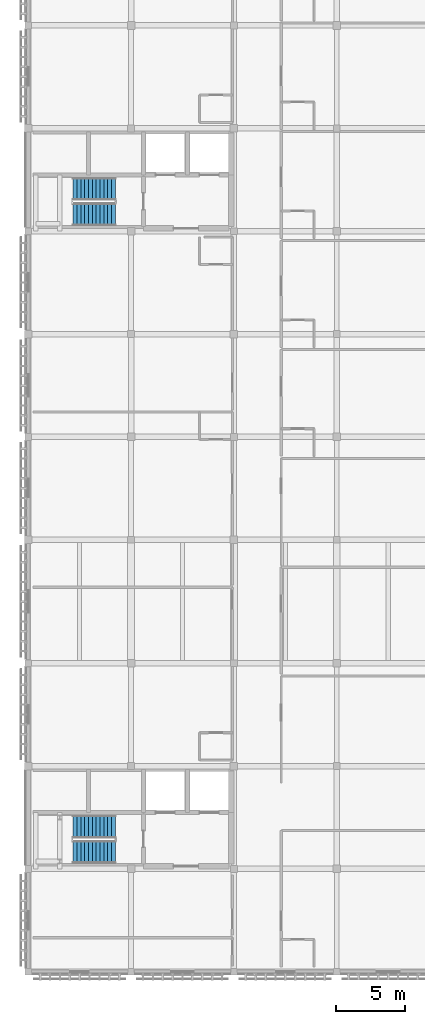
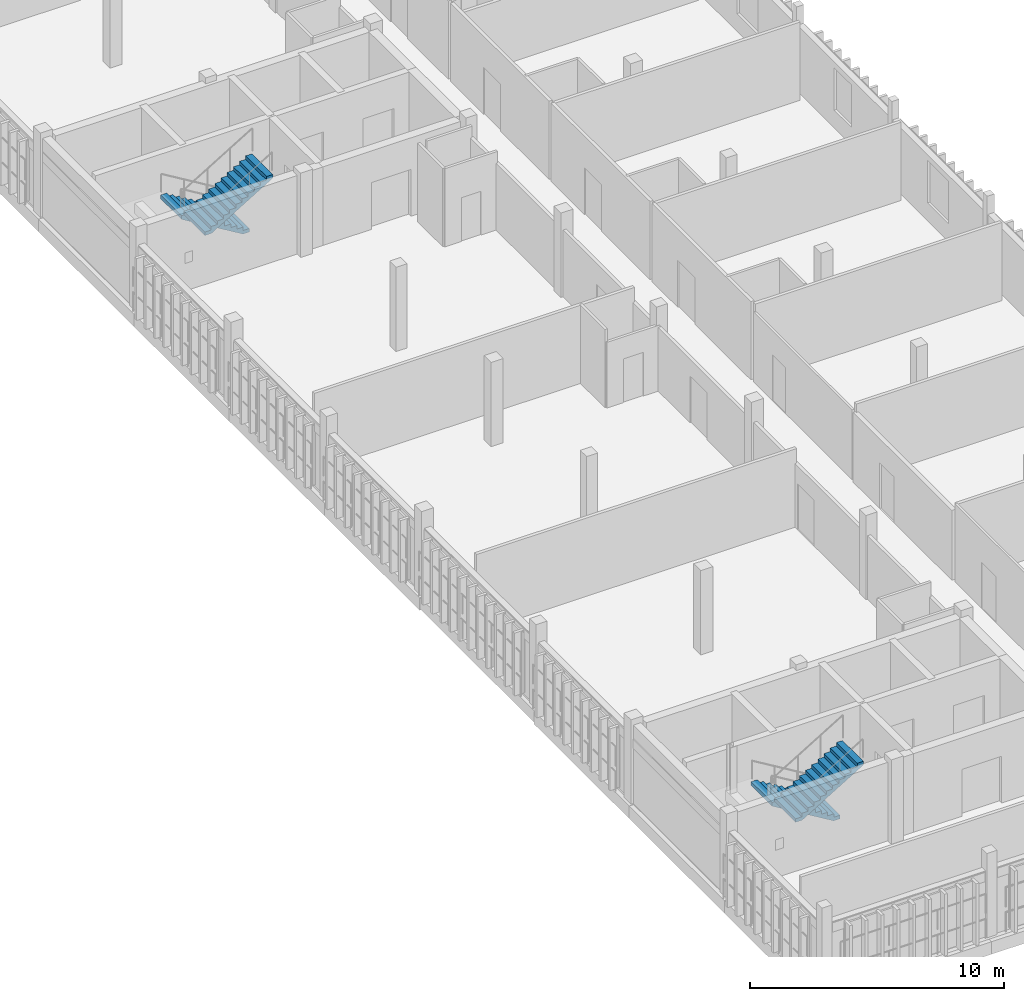
# One storey, part 9 of 17: 4 stair flights, 2 elements without a shape of their own.
"""IFC4 building model written with IfcOpenShell, lengths in metres."""

from ifc_helpers import new_model, si_unit, direction, frame, origin, place, context, subcontext, project, spatial, polyline, outline, extrude, material, type_object, element, aggregate, save


model = new_model("IFC4")

# Units and contexts
model_context = context("Model", 3, precision=1e-05, world=origin(), true_north=direction((0.0, 1.0)))
body_context = subcontext(model_context, "Body", "Model", "MODEL_VIEW")
ifc_project = project(units=[si_unit("LENGTHUNIT", "METRE"), si_unit("AREAUNIT", "SQUARE_METRE"), si_unit("VOLUMEUNIT", "CUBIC_METRE"), si_unit("PLANEANGLEUNIT", "RADIAN"), si_unit("MASSUNIT", "GRAM", prefix="KILO")], contexts=[model_context])

# Site, building, storey
site_placement = place(None, origin())
site = spatial("IfcSite", under=ifc_project, at=site_placement, CompositionType="ELEMENT")
building_placement = place(site_placement, origin())
building = spatial("IfcBuilding", under=site, at=building_placement, Name="Dalvernix Boulevard General Hospital", CompositionType="ELEMENT")
storey_placement = place(building_placement, frame((0.0, 0.0, 25.949951171875)))
storey = spatial("IfcBuildingStorey", under=building, at=storey_placement, Name="L06", CompositionType="ELEMENT", Elevation=25.949951171875)

# Stair, stair flights
ifc_material = material(Name="Precast concrete C40/50", Category="concrete")
stair_type = type_object("IfcStairType", Name="IFCSTAIR-STC-165x405", PredefinedType="HALF_TURN_STAIR", material=ifc_material)
stair_1_placement = place(storey_placement, origin())
stair_1 = element("IfcStair", 1, at=stair_1_placement, inside=storey, type_object=stair_type, Name="L06 Core C1 Exit Stair ST-01", PredefinedType="HALF_TURN_STAIR")
stair_flight_type = type_object("IfcStairFlightType", Name="IFCSTAIRFLIGHT-STF-165x405", PredefinedType="STRAIGHT", material=ifc_material)
stair_flight_1_placement = place(storey_placement, frame((6.35009765625, 10.574951171875, 0.0), z_axis=(0.0, 0.0, 1.0), x_axis=(-1.0, 0.0, 0.0)))
stair_flight_1 = element("IfcStairFlight", 2, at=stair_flight_1_placement, type_object=stair_flight_type, Name="ST-01 flight 1", NumberOfRisers=12, NumberOfTreads=11, PredefinedType="STRAIGHT", RiserHeight=0.16875, TreadLength=0.28, context=body_context, shape_type="SweptSolid", body=[
    extrude(outline(polyline([(0.0, 0.0), (0.0, 0.168701171875), (0.280029296875, 0.168701171875), (0.280029296875, 0.33740234375), (0.56005859375, 0.33740234375), (0.56005859375, 0.50634765625), (0.840087890625, 0.50634765625), (0.840087890625, 0.675048828125), (1.1201171875, 0.675048828125), (1.1201171875, 0.84375), (1.39990234375, 0.84375), (1.39990234375, 1.012451171875), (1.679931640625, 1.012451171875), (1.679931640625, 1.18115234375), (1.9599609375, 1.18115234375), (1.9599609375, 1.35009765625), (2.239990234375, 1.35009765625), (2.239990234375, 1.518798828125), (2.52001953125, 1.518798828125), (2.52001953125, 1.6875), (2.800048828125, 1.6875), (2.800048828125, 1.856201171875), (3.080078125, 1.856201171875), (3.080078125, 2.02490234375), (3.080078125, 1.68115234375), (0.29052734375, 0.0), (0.0, 0.0)])), frame((0.0, 0.824951171875, 0.0), z_axis=(0.0, -1.0, 0.0), x_axis=(1.0, 0.0, 0.0)), (0.0, 0.0, 1.0), 1.64990234375),
])
stair_flight_2_placement = place(storey_placement, frame((3.27001953125, 8.72509765625, 2.025146484375), z_axis=(0.0, 0.0, 1.0), x_axis=(1.0, 0.0, 0.0)))
stair_flight_2 = element("IfcStairFlight", 3, at=stair_flight_2_placement, type_object=stair_flight_type, Name="ST-01 flight 2", NumberOfRisers=12, NumberOfTreads=11, PredefinedType="STRAIGHT", RiserHeight=0.16875, TreadLength=0.28, context=body_context, shape_type="SweptSolid", body=[
    extrude(outline(polyline([(0.0, 0.0), (0.0, 0.168701171875), (0.280029296875, 0.168701171875), (0.280029296875, 0.33740234375), (0.56005859375, 0.33740234375), (0.56005859375, 0.50634765625), (0.840087890625, 0.50634765625), (0.840087890625, 0.675048828125), (1.1201171875, 0.675048828125), (1.1201171875, 0.84375), (1.39990234375, 0.84375), (1.39990234375, 1.012451171875), (1.679931640625, 1.012451171875), (1.679931640625, 1.18115234375), (1.9599609375, 1.18115234375), (1.9599609375, 1.35009765625), (2.239990234375, 1.35009765625), (2.239990234375, 1.518798828125), (2.52001953125, 1.518798828125), (2.52001953125, 1.6875), (2.800048828125, 1.6875), (2.800048828125, 1.856201171875), (3.080078125, 1.856201171875), (3.080078125, 2.02490234375), (3.080078125, 1.68115234375), (0.29052734375, 0.0), (0.0, 0.0)])), frame((0.0, 0.824951171875, 0.0), z_axis=(0.0, -1.0, 0.0), x_axis=(1.0, 0.0, 0.0)), (0.0, 0.0, 1.0), 1.64990234375),
])
aggregate(stair_1, [stair_flight_1, stair_flight_2])

stair_2_placement = place(storey_placement, origin())
stair_2 = element("IfcStair", 4, at=stair_2_placement, inside=storey, type_object=stair_type, Name="L06 Core C2 Exit Stair ST-02", PredefinedType="HALF_TURN_STAIR")
stair_flight_3_placement = place(storey_placement, frame((6.35009765625, 57.074951171875, 0.0), z_axis=(0.0, 0.0, 1.0), x_axis=(-1.0, 0.0, 0.0)))
stair_flight_3 = element("IfcStairFlight", 5, at=stair_flight_3_placement, type_object=stair_flight_type, Name="ST-02 flight 1", NumberOfRisers=12, NumberOfTreads=11, PredefinedType="STRAIGHT", RiserHeight=0.16875, TreadLength=0.28, context=body_context, shape_type="SweptSolid", body=[
    extrude(outline(polyline([(0.0, 0.0), (0.0, 0.168701171875), (0.280029296875, 0.168701171875), (0.280029296875, 0.33740234375), (0.56005859375, 0.33740234375), (0.56005859375, 0.50634765625), (0.840087890625, 0.50634765625), (0.840087890625, 0.675048828125), (1.1201171875, 0.675048828125), (1.1201171875, 0.84375), (1.39990234375, 0.84375), (1.39990234375, 1.012451171875), (1.679931640625, 1.012451171875), (1.679931640625, 1.18115234375), (1.9599609375, 1.18115234375), (1.9599609375, 1.35009765625), (2.239990234375, 1.35009765625), (2.239990234375, 1.518798828125), (2.52001953125, 1.518798828125), (2.52001953125, 1.6875), (2.800048828125, 1.6875), (2.800048828125, 1.856201171875), (3.080078125, 1.856201171875), (3.080078125, 2.02490234375), (3.080078125, 1.68115234375), (0.29052734375, 0.0), (0.0, 0.0)])), frame((0.0, 0.824951171875, 0.0), z_axis=(0.0, -1.0, 0.0), x_axis=(1.0, 0.0, 0.0)), (0.0, 0.0, 1.0), 1.64990234375),
])
stair_flight_4_placement = place(storey_placement, frame((3.27001953125, 55.22509765625, 2.025146484375), z_axis=(0.0, 0.0, 1.0), x_axis=(1.0, 0.0, 0.0)))
stair_flight_4 = element("IfcStairFlight", 6, at=stair_flight_4_placement, type_object=stair_flight_type, Name="ST-02 flight 2", NumberOfRisers=12, NumberOfTreads=11, PredefinedType="STRAIGHT", RiserHeight=0.16875, TreadLength=0.28, context=body_context, shape_type="SweptSolid", body=[
    extrude(outline(polyline([(0.0, 0.0), (0.0, 0.168701171875), (0.280029296875, 0.168701171875), (0.280029296875, 0.33740234375), (0.56005859375, 0.33740234375), (0.56005859375, 0.50634765625), (0.840087890625, 0.50634765625), (0.840087890625, 0.675048828125), (1.1201171875, 0.675048828125), (1.1201171875, 0.84375), (1.39990234375, 0.84375), (1.39990234375, 1.012451171875), (1.679931640625, 1.012451171875), (1.679931640625, 1.18115234375), (1.9599609375, 1.18115234375), (1.9599609375, 1.35009765625), (2.239990234375, 1.35009765625), (2.239990234375, 1.518798828125), (2.52001953125, 1.518798828125), (2.52001953125, 1.6875), (2.800048828125, 1.6875), (2.800048828125, 1.856201171875), (3.080078125, 1.856201171875), (3.080078125, 2.02490234375), (3.080078125, 1.68115234375), (0.29052734375, 0.0), (0.0, 0.0)])), frame((0.0, 0.824951171875, 0.0), z_axis=(0.0, -1.0, 0.0), x_axis=(1.0, 0.0, 0.0)), (0.0, 0.0, 1.0), 1.64990234375),
])
aggregate(stair_2, [stair_flight_3, stair_flight_4])

save(model, "model.ifc")
